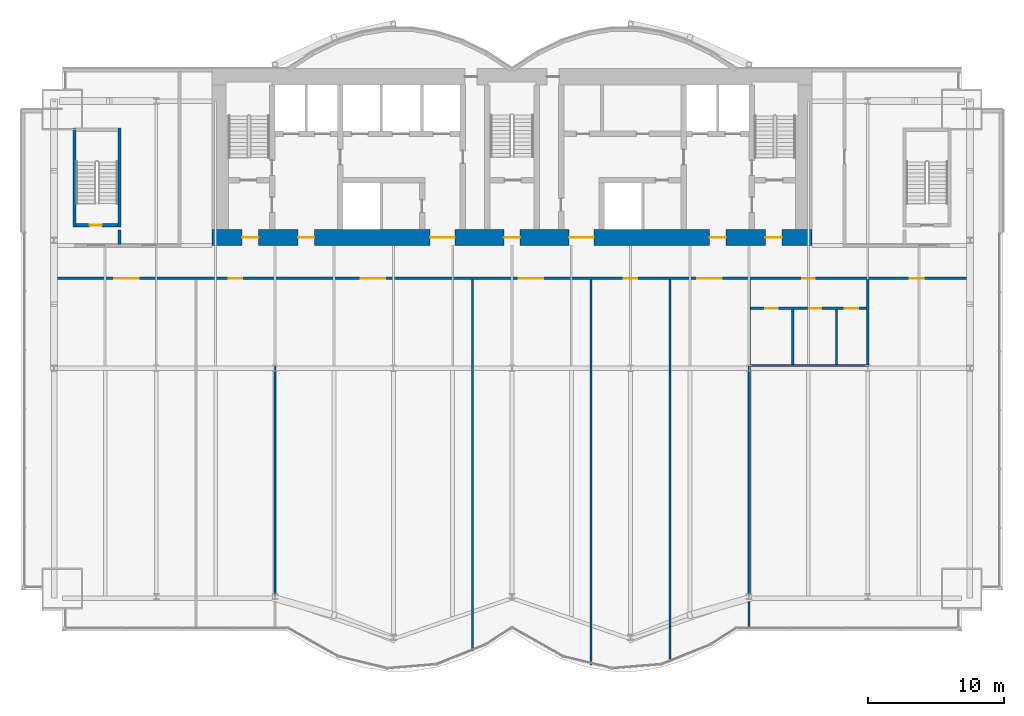
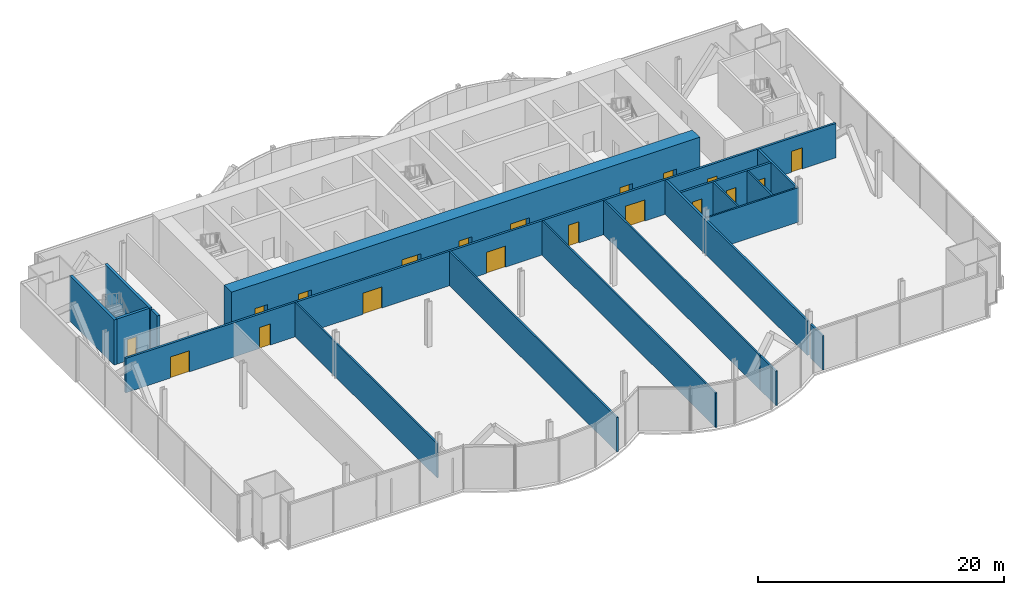
# One storey, part 15 of 21: 19 doors, 18 walls, 19 openings.
"""IFC4 building model written with IfcOpenShell, lengths in metres."""

from ifc_helpers import new_model, si_unit, direction, frame, frame_2d, origin, place, context, subcontext, project, spatial, rectangle, extrude, material, layer, layer_set, type_object, element, fill, save


model = new_model("IFC4")

# Units and contexts
model_context = context("Model", 3, precision=1e-05, world=origin(), true_north=direction((0.0, 1.0)))
body_context = subcontext(model_context, "Body", "Model", "MODEL_VIEW")
ifc_project = project(units=[si_unit("LENGTHUNIT", "METRE"), si_unit("AREAUNIT", "SQUARE_METRE"), si_unit("VOLUMEUNIT", "CUBIC_METRE"), si_unit("PLANEANGLEUNIT", "RADIAN"), si_unit("MASSUNIT", "GRAM", prefix="KILO")], contexts=[model_context])

# Site, building, storey
site_placement = place(None, origin())
site = spatial("IfcSite", under=ifc_project, at=site_placement, CompositionType="ELEMENT")
building_placement = place(site_placement, origin())
building = spatial("IfcBuilding", under=site, at=building_placement, Name="Bicima Exchange Tower", CompositionType="ELEMENT")
storey_placement = place(building_placement, frame((0.0, 0.0, 48.5)))
storey = spatial("IfcBuildingStorey", under=building, at=storey_placement, Name="L09", CompositionType="ELEMENT", Elevation=48.5)

# Wall, openings, doors
ifc_material_1 = material(Name="Gypsum board partition")
ifc_layer_1 = layer(ifc_material_1, 0.199951171875)
ifc_layer_set_1 = layer_set([ifc_layer_1], Name="Gypsum board partition")
wall_type_1 = type_object("IfcWallType", Name="Fire-rated gypsum partition 200 EI60", PredefinedType="PARTITIONING", material=ifc_layer_set_1)
wall_1_placement = place(storey_placement, frame((17.5, -17.60009765625, 0.0), z_axis=(0.0, 0.0, 1.0), x_axis=(1.0, 0.0, 0.0)))
wall_1 = element("IfcWall", 1, at=wall_1_placement, inside=storey, type_object=wall_type_1, Name="partition wall 2", PredefinedType="PARTITIONING", context=body_context, shape_type="SweptSolid", body=[
    extrude(rectangle(XDim=8.5, YDim=0.199951171875, at=frame_2d((4.25, 0.0))), origin(), (0.0, 0.0, 1.0), 3.418212890625),
])
opening_1_placement = place(wall_1_placement, frame((1.10009765625, 0.0, 0.0)))
opening_1 = element("IfcOpeningElement", 2, at=opening_1_placement, cuts=wall_1, Name="Opening L09-014", PredefinedType="OPENING", context=body_context, shape_type="SweptSolid", body=[
    extrude(rectangle(XDim=0.89990234375, YDim=2.10009765625, at=frame_2d((0.449951171875, 1.050048828125))), frame((0.0, 0.11181640625, 0.0), z_axis=(0.0, -1.0, 0.0), x_axis=(1.0, 0.0, 0.0)), (0.0, 0.0, 1.0), 0.223876953125),
])
opening_2_placement = place(wall_1_placement, frame((4.300048828125, 0.0, 0.0)))
opening_2 = element("IfcOpeningElement", 3, at=opening_2_placement, cuts=wall_1, Name="Opening L09-015", PredefinedType="OPENING", context=body_context, shape_type="SweptSolid", body=[
    extrude(rectangle(XDim=0.89990234375, YDim=2.10009765625, at=frame_2d((0.449951171875, 1.050048828125))), frame((0.0, 0.11181640625, 0.0), z_axis=(0.0, -1.0, 0.0), x_axis=(1.0, 0.0, 0.0)), (0.0, 0.0, 1.0), 0.223876953125),
])
opening_3_placement = place(wall_1_placement, frame((6.89990234375, 0.0, 0.0)))
opening_3 = element("IfcOpeningElement", 4, at=opening_3_placement, cuts=wall_1, Name="Opening L09-016", PredefinedType="OPENING", context=body_context, shape_type="SweptSolid", body=[
    extrude(rectangle(XDim=1.0, YDim=2.10009765625, at=frame_2d((0.5, 1.050048828125))), frame((0.0, 0.11181640625, 0.0), z_axis=(0.0, -1.0, 0.0), x_axis=(1.0, 0.0, 0.0)), (0.0, 0.0, 1.0), 0.223876953125),
])
ifc_material_2 = material(Name="Steel fire door leaf", Category="steel")
door_type_1 = type_object("IfcDoorType", Name="Door 1000 swing FD30S", OperationType="SINGLE_SWING_LEFT", PredefinedType="DOOR", material=ifc_material_2)
door_1_placement = place(opening_3_placement, frame((1.0, 0.0, 0.0), z_axis=(0.0, 0.0, 1.0), x_axis=(-1.0, 0.0, 0.0)))
door_1 = element("IfcDoor", 5, at=door_1_placement, inside=storey, type_object=door_type_1, Name="Door", OperationType="SINGLE_SWING_LEFT", OverallHeight=2.10009765625, OverallWidth=1.0, PredefinedType="DOOR", context=body_context, shape_type="SweptSolid", body=[
    extrude(rectangle(XDim=1.0, YDim=2.10009765625, at=frame_2d((0.5, 1.050048828125))), frame((0.0, 0.02490234375, 0.0), z_axis=(0.0, -1.0, 0.0), x_axis=(1.0, 0.0, 0.0)), (0.0, 0.0, 1.0), 0.050048828125),
])
fill(opening_3, door_1)
door_type_2 = type_object("IfcDoorType", Name="Door 900 swing FD30S", OperationType="SINGLE_SWING_LEFT", PredefinedType="DOOR", material=ifc_material_2)
door_2_placement = place(opening_1_placement, frame((0.89990234375, 0.0, 0.0), z_axis=(0.0, 0.0, 1.0), x_axis=(-1.0, 0.0, 0.0)))
door_2 = element("IfcDoor", 6, at=door_2_placement, inside=storey, type_object=door_type_2, Name="Door", OperationType="SINGLE_SWING_RIGHT", OverallHeight=2.10009765625, OverallWidth=0.89990234375, PredefinedType="DOOR", context=body_context, shape_type="SweptSolid", body=[
    extrude(rectangle(XDim=0.89990234375, YDim=2.10009765625, at=frame_2d((0.449951171875, 1.050048828125))), frame((0.0, 0.02490234375, 0.0), z_axis=(0.0, -1.0, 0.0), x_axis=(1.0, 0.0, 0.0)), (0.0, 0.0, 1.0), 0.050048828125),
])
fill(opening_1, door_2)
door_3_placement = place(opening_2_placement, frame((0.89990234375, 0.0, 0.0), z_axis=(0.0, 0.0, 1.0), x_axis=(-1.0, 0.0, 0.0)))
door_3 = element("IfcDoor", 7, at=door_3_placement, inside=storey, type_object=door_type_2, Name="Door", OperationType="SINGLE_SWING_RIGHT", OverallHeight=2.10009765625, OverallWidth=0.89990234375, PredefinedType="DOOR", context=body_context, shape_type="SweptSolid", body=[
    extrude(rectangle(XDim=0.89990234375, YDim=2.10009765625, at=frame_2d((0.449951171875, 1.050048828125))), frame((0.0, 0.02490234375, 0.0), z_axis=(0.0, -1.0, 0.0), x_axis=(1.0, 0.0, 0.0)), (0.0, 0.0, 1.0), 0.050048828125),
])
fill(opening_2, door_3)

wall_2_placement = place(storey_placement, frame((-33.3701171875, -15.39990234375, 0.0), z_axis=(0.0, 0.0, 1.0), x_axis=(1.0, 0.0, 0.0)))
wall_2 = element("IfcWall", 8, at=wall_2_placement, inside=storey, type_object=wall_type_1, Name="partition wall 3", PredefinedType="PARTITIONING", context=body_context, shape_type="SweptSolid", body=[
    extrude(rectangle(XDim=66.740234375, YDim=0.199951171875, at=frame_2d((33.3701171875, 0.0))), origin(), (0.0, 0.0, 1.0), 3.418212890625),
])
opening_4_placement = place(wall_2_placement, frame((4.199951171875, 0.0, 0.0)))
opening_4 = element("IfcOpeningElement", 9, at=opening_4_placement, cuts=wall_2, Name="Opening L09-007", PredefinedType="OPENING", context=body_context, shape_type="SweptSolid", body=[
    extrude(rectangle(XDim=1.800048828125, YDim=2.10009765625, at=frame_2d((0.89990234375, 1.050048828125))), frame((0.0, 0.11181640625, 0.0), z_axis=(0.0, -1.0, 0.0), x_axis=(1.0, 0.0, 0.0)), (0.0, 0.0, 1.0), 0.223876953125),
])
opening_5_placement = place(wall_2_placement, frame((12.570068359375, 0.0, 0.0)))
opening_5 = element("IfcOpeningElement", 10, at=opening_5_placement, cuts=wall_2, Name="Opening L09-008", PredefinedType="OPENING", context=body_context, shape_type="SweptSolid", body=[
    extrude(rectangle(XDim=1.0, YDim=2.10009765625, at=frame_2d((0.5, 1.050048828125))), frame((0.0, 0.11181640625, 0.0), z_axis=(0.0, -1.0, 0.0), x_axis=(1.0, 0.0, 0.0)), (0.0, 0.0, 1.0), 0.223876953125),
])
opening_6_placement = place(wall_2_placement, frame((22.27001953125, 0.0, 0.0)))
opening_6 = element("IfcOpeningElement", 11, at=opening_6_placement, cuts=wall_2, Name="Opening L09-009", PredefinedType="OPENING", context=body_context, shape_type="SweptSolid", body=[
    extrude(rectangle(XDim=1.800048828125, YDim=2.10009765625, at=frame_2d((0.89990234375, 1.050048828125))), frame((0.0, 0.11181640625, 0.0), z_axis=(0.0, -1.0, 0.0), x_axis=(1.0, 0.0, 0.0)), (0.0, 0.0, 1.0), 0.223876953125),
])
opening_7_placement = place(wall_2_placement, frame((33.8701171875, 0.0, 0.0)))
opening_7 = element("IfcOpeningElement", 12, at=opening_7_placement, cuts=wall_2, Name="Opening L09-010", PredefinedType="OPENING", context=body_context, shape_type="SweptSolid", body=[
    extrude(rectangle(XDim=1.800048828125, YDim=2.10009765625, at=frame_2d((0.89990234375, 1.050048828125))), frame((0.0, 0.11181640625, 0.0), z_axis=(0.0, -1.0, 0.0), x_axis=(1.0, 0.0, 0.0)), (0.0, 0.0, 1.0), 0.223876953125),
])
opening_8_placement = place(wall_2_placement, frame((41.570068359375, 0.0, 0.0)))
opening_8 = element("IfcOpeningElement", 13, at=opening_8_placement, cuts=wall_2, Name="Opening L09-011", PredefinedType="OPENING", context=body_context, shape_type="SweptSolid", body=[
    extrude(rectangle(XDim=1.0, YDim=2.10009765625, at=frame_2d((0.5, 1.050048828125))), frame((0.0, 0.11181640625, 0.0), z_axis=(0.0, -1.0, 0.0), x_axis=(1.0, 0.0, 0.0)), (0.0, 0.0, 1.0), 0.223876953125),
])
opening_9_placement = place(wall_2_placement, frame((46.969970703125, 0.0, 0.0)))
opening_9 = element("IfcOpeningElement", 14, at=opening_9_placement, cuts=wall_2, Name="Opening L09-012", PredefinedType="OPENING", context=body_context, shape_type="SweptSolid", body=[
    extrude(rectangle(XDim=1.800048828125, YDim=2.10009765625, at=frame_2d((0.89990234375, 1.050048828125))), frame((0.0, 0.11181640625, 0.0), z_axis=(0.0, -1.0, 0.0), x_axis=(1.0, 0.0, 0.0)), (0.0, 0.0, 1.0), 0.223876953125),
])
opening_10_placement = place(wall_2_placement, frame((54.669921875, 0.0, 0.0)))
opening_10 = element("IfcOpeningElement", 15, at=opening_10_placement, cuts=wall_2, Name="Opening L09-013", PredefinedType="OPENING", context=body_context, shape_type="SweptSolid", body=[
    extrude(rectangle(XDim=0.89990234375, YDim=2.10009765625, at=frame_2d((0.449951171875, 1.050048828125))), frame((0.0, 0.11181640625, 0.0), z_axis=(0.0, -1.0, 0.0), x_axis=(1.0, 0.0, 0.0)), (0.0, 0.0, 1.0), 0.223876953125),
])
opening_11_placement = place(wall_2_placement, frame((62.570068359375, 0.0, 0.0)))
opening_11 = element("IfcOpeningElement", 16, at=opening_11_placement, cuts=wall_2, Name="Opening L09-017", PredefinedType="OPENING", context=body_context, shape_type="SweptSolid", body=[
    extrude(rectangle(XDim=1.0, YDim=2.10009765625, at=frame_2d((0.5, 1.050048828125))), frame((0.0, 0.11181640625, 0.0), z_axis=(0.0, -1.0, 0.0), x_axis=(1.0, 0.0, 0.0)), (0.0, 0.0, 1.0), 0.223876953125),
])
door_4_placement = place(opening_5_placement, frame((1.0, 0.0, 0.0), z_axis=(0.0, 0.0, 1.0), x_axis=(-1.0, 0.0, 0.0)))
door_4 = element("IfcDoor", 17, at=door_4_placement, inside=storey, type_object=door_type_1, Name="Door", OperationType="SINGLE_SWING_RIGHT", OverallHeight=2.10009765625, OverallWidth=1.0, PredefinedType="DOOR", context=body_context, shape_type="SweptSolid", body=[
    extrude(rectangle(XDim=1.0, YDim=2.10009765625, at=frame_2d((0.5, 1.050048828125))), frame((0.0, 0.02490234375, 0.0), z_axis=(0.0, -1.0, 0.0), x_axis=(1.0, 0.0, 0.0)), (0.0, 0.0, 1.0), 0.050048828125),
])
fill(opening_5, door_4)
door_5_placement = place(opening_8_placement, frame((1.0, 0.0, 0.0), z_axis=(0.0, 0.0, 1.0), x_axis=(-1.0, 0.0, 0.0)))
door_5 = element("IfcDoor", 18, at=door_5_placement, inside=storey, type_object=door_type_1, Name="Door", OperationType="SINGLE_SWING_RIGHT", OverallHeight=2.10009765625, OverallWidth=1.0, PredefinedType="DOOR", context=body_context, shape_type="SweptSolid", body=[
    extrude(rectangle(XDim=1.0, YDim=2.10009765625, at=frame_2d((0.5, 1.050048828125))), frame((0.0, 0.02490234375, 0.0), z_axis=(0.0, -1.0, 0.0), x_axis=(1.0, 0.0, 0.0)), (0.0, 0.0, 1.0), 0.050048828125),
])
fill(opening_8, door_5)
door_6_placement = place(opening_11_placement, frame((1.0, 0.0, 0.0), z_axis=(0.0, 0.0, 1.0), x_axis=(-1.0, 0.0, 0.0)))
door_6 = element("IfcDoor", 19, at=door_6_placement, inside=storey, type_object=door_type_1, Name="Door", OperationType="SINGLE_SWING_RIGHT", OverallHeight=2.10009765625, OverallWidth=1.0, PredefinedType="DOOR", context=body_context, shape_type="SweptSolid", body=[
    extrude(rectangle(XDim=1.0, YDim=2.10009765625, at=frame_2d((0.5, 1.050048828125))), frame((0.0, 0.02490234375, 0.0), z_axis=(0.0, -1.0, 0.0), x_axis=(1.0, 0.0, 0.0)), (0.0, 0.0, 1.0), 0.050048828125),
])
fill(opening_11, door_6)
door_type_3 = type_object("IfcDoorType", Name="Door 1800 double swing FD30S", OperationType="DOUBLE_DOOR_SINGLE_SWING", PredefinedType="DOOR", material=ifc_material_2)
door_7_placement = place(opening_4_placement, origin())
door_7 = element("IfcDoor", 20, at=door_7_placement, inside=storey, type_object=door_type_3, Name="Door", OperationType="SINGLE_SWING_LEFT", OverallHeight=2.10009765625, OverallWidth=1.800048828125, PredefinedType="DOOR", context=body_context, shape_type="SweptSolid", body=[
    extrude(rectangle(XDim=1.800048828125, YDim=2.10009765625, at=frame_2d((0.89990234375, 1.050048828125))), frame((0.0, 0.02490234375, 0.0), z_axis=(0.0, -1.0, 0.0), x_axis=(1.0, 0.0, 0.0)), (0.0, 0.0, 1.0), 0.050048828125),
])
fill(opening_4, door_7)
door_8_placement = place(opening_6_placement, origin())
door_8 = element("IfcDoor", 21, at=door_8_placement, inside=storey, type_object=door_type_3, Name="Door", OperationType="SINGLE_SWING_LEFT", OverallHeight=2.10009765625, OverallWidth=1.800048828125, PredefinedType="DOOR", context=body_context, shape_type="SweptSolid", body=[
    extrude(rectangle(XDim=1.800048828125, YDim=2.10009765625, at=frame_2d((0.89990234375, 1.050048828125))), frame((0.0, 0.02490234375, 0.0), z_axis=(0.0, -1.0, 0.0), x_axis=(1.0, 0.0, 0.0)), (0.0, 0.0, 1.0), 0.050048828125),
])
fill(opening_6, door_8)
door_9_placement = place(opening_7_placement, origin())
door_9 = element("IfcDoor", 22, at=door_9_placement, inside=storey, type_object=door_type_3, Name="Door", OperationType="SINGLE_SWING_LEFT", OverallHeight=2.10009765625, OverallWidth=1.800048828125, PredefinedType="DOOR", context=body_context, shape_type="SweptSolid", body=[
    extrude(rectangle(XDim=1.800048828125, YDim=2.10009765625, at=frame_2d((0.89990234375, 1.050048828125))), frame((0.0, 0.02490234375, 0.0), z_axis=(0.0, -1.0, 0.0), x_axis=(1.0, 0.0, 0.0)), (0.0, 0.0, 1.0), 0.050048828125),
])
fill(opening_7, door_9)
door_10_placement = place(opening_9_placement, origin())
door_10 = element("IfcDoor", 23, at=door_10_placement, inside=storey, type_object=door_type_3, Name="Door", OperationType="SINGLE_SWING_LEFT", OverallHeight=2.10009765625, OverallWidth=1.800048828125, PredefinedType="DOOR", context=body_context, shape_type="SweptSolid", body=[
    extrude(rectangle(XDim=1.800048828125, YDim=2.10009765625, at=frame_2d((0.89990234375, 1.050048828125))), frame((0.0, 0.02490234375, 0.0), z_axis=(0.0, -1.0, 0.0), x_axis=(1.0, 0.0, 0.0)), (0.0, 0.0, 1.0), 0.050048828125),
])
fill(opening_9, door_10)
door_11_placement = place(opening_10_placement, frame((0.89990234375, 0.0, 0.0), z_axis=(0.0, 0.0, 1.0), x_axis=(-1.0, 0.0, 0.0)))
door_11 = element("IfcDoor", 24, at=door_11_placement, inside=storey, type_object=door_type_2, Name="Door", OperationType="SINGLE_SWING_LEFT", OverallHeight=2.10009765625, OverallWidth=0.89990234375, PredefinedType="DOOR", context=body_context, shape_type="SweptSolid", body=[
    extrude(rectangle(XDim=0.89990234375, YDim=2.10009765625, at=frame_2d((0.449951171875, 1.050048828125))), frame((0.0, 0.02490234375, 0.0), z_axis=(0.0, -1.0, 0.0), x_axis=(1.0, 0.0, 0.0)), (0.0, 0.0, 1.0), 0.050048828125),
])
fill(opening_10, door_11)

# Walls
wall_3_placement = place(storey_placement, frame((17.39990234375, -38.630615234375, 0.0), z_axis=(0.0, 0.0, 1.0), x_axis=(0.0, 1.0, 0.0)))
element("IfcWall", 25, at=wall_3_placement, inside=storey, type_object=wall_type_1, Name="partition wall 23", PredefinedType="PARTITIONING", context=body_context, shape_type="SweptSolid", body=[
    extrude(rectangle(XDim=23.130615234375, YDim=0.199951171875, at=frame_2d((11.5654296875, 0.0))), origin(), (0.0, 0.0, 1.0), 3.418212890625),
])
wall_4_placement = place(storey_placement, frame((26.10009765625, -21.72509765625, 0.0), z_axis=(0.0, 0.0, 1.0), x_axis=(0.0, 1.0, 0.0)))
element("IfcWall", 26, at=wall_4_placement, inside=storey, type_object=wall_type_1, Name="partition wall 27", PredefinedType="PARTITIONING", context=body_context, shape_type="SweptSolid", body=[
    extrude(rectangle(XDim=6.22509765625, YDim=0.199951171875, at=frame_2d((3.112548828125, 0.0))), origin(), (0.0, 0.0, 1.0), 3.418212890625),
])
ifc_layer_2 = layer(ifc_material_1, 0.14990234375)
ifc_layer_set_2 = layer_set([ifc_layer_2], Name="Gypsum board partition")
wall_type_2 = type_object("IfcWallType", Name="Gypsum partition 150", PredefinedType="PARTITIONING", material=ifc_layer_set_2)
wall_5_placement = place(storey_placement, frame((17.5, -21.800048828125, 0.0), z_axis=(0.0, 0.0, 1.0), x_axis=(1.0, 0.0, 0.0)))
element("IfcWall", 27, at=wall_5_placement, inside=storey, type_object=wall_type_2, Name="partition wall 1", PredefinedType="PARTITIONING", context=body_context, shape_type="SweptSolid", body=[
    extrude(rectangle(XDim=8.699951171875, YDim=0.14990234375, at=frame_2d((4.35009765625, 0.0))), origin(), (0.0, 0.0, 1.0), 3.418212890625),
])
wall_6_placement = place(storey_placement, frame((-17.39990234375, -38.630615234375, 0.0), z_axis=(0.0, 0.0, 1.0), x_axis=(0.0, 1.0, 0.0)))
element("IfcWall", 28, at=wall_6_placement, inside=storey, type_object=wall_type_2, Name="partition wall 17", PredefinedType="PARTITIONING", context=body_context, shape_type="SweptSolid", body=[
    extrude(rectangle(XDim=23.130615234375, YDim=0.14990234375, at=frame_2d((11.5654296875, 0.0))), origin(), (0.0, 0.0, 1.0), 3.418212890625),
])
wall_7_placement = place(storey_placement, frame((-2.89990234375, -42.739990234375, 0.0), z_axis=(0.0, 0.0, 1.0), x_axis=(0.0, 1.0, 0.0)))
element("IfcWall", 29, at=wall_7_placement, inside=storey, type_object=wall_type_2, Name="partition wall 18", PredefinedType="PARTITIONING", context=body_context, shape_type="SweptSolid", body=[
    extrude(rectangle(XDim=27.239990234375, YDim=0.14990234375, at=frame_2d((13.6201171875, 0.0))), origin(), (0.0, 0.0, 1.0), 3.418212890625),
])
wall_8_placement = place(storey_placement, frame((5.800048828125, -43.77001953125, 0.0), z_axis=(0.0, 0.0, 1.0), x_axis=(0.0, 1.0, 0.0)))
element("IfcWall", 30, at=wall_8_placement, inside=storey, type_object=wall_type_2, Name="partition wall 19", PredefinedType="PARTITIONING", context=body_context, shape_type="SweptSolid", body=[
    extrude(rectangle(XDim=28.27001953125, YDim=0.14990234375, at=frame_2d((14.135009765625, 0.0))), origin(), (0.0, 0.0, 1.0), 3.418212890625),
])
wall_9_placement = place(storey_placement, frame((11.60009765625, -43.52001953125, 0.0), z_axis=(0.0, 0.0, 1.0), x_axis=(0.0, 1.0, 0.0)))
element("IfcWall", 31, at=wall_9_placement, inside=storey, type_object=wall_type_2, Name="partition wall 20", PredefinedType="PARTITIONING", context=body_context, shape_type="SweptSolid", body=[
    extrude(rectangle(XDim=2.576904296875, YDim=0.14990234375, at=frame_2d((1.28857421875, 0.0))), origin(), (0.0, 0.0, 1.0), 3.418212890625),
])
wall_10_placement = place(storey_placement, frame((11.60009765625, -40.943115234375, 0.0), z_axis=(0.0, 0.0, 1.0), x_axis=(0.0, 1.0, 0.0)))
element("IfcWall", 32, at=wall_10_placement, inside=storey, type_object=wall_type_2, Name="partition wall 21", PredefinedType="PARTITIONING", context=body_context, shape_type="SweptSolid", body=[
    extrude(rectangle(XDim=25.443115234375, YDim=0.14990234375, at=frame_2d((12.7216796875, 0.0))), origin(), (0.0, 0.0, 1.0), 3.418212890625),
])
wall_11_placement = place(storey_placement, frame((17.39990234375, -41.06005859375, 0.0), z_axis=(0.0, 0.0, 1.0), x_axis=(0.0, 1.0, 0.0)))
element("IfcWall", 33, at=wall_11_placement, inside=storey, type_object=wall_type_2, Name="partition wall 22", PredefinedType="PARTITIONING", context=body_context, shape_type="SweptSolid", body=[
    extrude(rectangle(XDim=1.954833984375, YDim=0.14990234375, at=frame_2d((0.9775390625, 0.0))), origin(), (0.0, 0.0, 1.0), 3.418212890625),
])
for number, where, z_axis, x_axis, name in (
    (34, (20.60009765625, -21.72509765625, 0.0), (0.0, 0.0, 1.0), (0.0, 1.0, 0.0), "partition wall 24"),
    (35, (23.800048828125, -21.72509765625, 0.0), (0.0, 0.0, 1.0), (0.0, 1.0, 0.0), "partition wall 25"),
):
    element("IfcWall", number, at=place(storey_placement, frame(where, z_axis=z_axis, x_axis=x_axis)), inside=storey, type_object=wall_type_2, Name=name, PredefinedType="PARTITIONING", context=body_context, shape_type="SweptSolid", body=[
        extrude(rectangle(XDim=4.025146484375, YDim=0.14990234375, at=frame_2d((2.0126953125, 0.0))), origin(), (0.0, 0.0, 1.0), 3.418212890625),
    ])

# Wall, openings, doors
ifc_material_3 = material(Name="Concrete C60/75", Category="concrete")
ifc_layer_3 = layer(ifc_material_3, 1.199951171875)
ifc_layer_set_3 = layer_set([ifc_layer_3], Name="Concrete C60/75")
wall_type_3 = type_object("IfcWallType", Name="RC core wall 1200 C60/75", PredefinedType="SHEAR", material=ifc_layer_set_3)
wall_12_placement = place(storey_placement, frame((-22.0, -12.39990234375, 0.0), z_axis=(0.0, 0.0, 1.0), x_axis=(1.0, 0.0, 0.0)))
wall_12 = element("IfcWall", 36, at=wall_12_placement, inside=storey, type_object=wall_type_3, Name="Core wall south", PredefinedType="SHEAR", context=body_context, shape_type="SweptSolid", body=[
    extrude(rectangle(XDim=44.0, YDim=1.199951171875, at=frame_2d((22.0, 0.0))), origin(), (0.0, 0.0, 1.0), 4.5),
])
opening_12_placement = place(wall_12_placement, frame((2.199951171875, 0.0, 0.0)))
opening_12 = element("IfcOpeningElement", 37, at=opening_12_placement, cuts=wall_12, Name="Opening L09-C18", PredefinedType="OPENING", context=body_context, shape_type="SweptSolid", body=[
    extrude(rectangle(XDim=1.199951171875, YDim=2.10009765625, at=frame_2d((0.60009765625, 1.050048828125))), frame((0.0, 0.61181640625, 0.0), z_axis=(0.0, -1.0, 0.0), x_axis=(1.0, 0.0, 0.0)), (0.0, 0.0, 1.0), 1.223876953125),
])
opening_13_placement = place(wall_12_placement, frame((21.39990234375, 0.0, 0.0)))
opening_13 = element("IfcOpeningElement", 38, at=opening_13_placement, cuts=wall_12, Name="Opening L09-C19", PredefinedType="OPENING", context=body_context, shape_type="SweptSolid", body=[
    extrude(rectangle(XDim=1.199951171875, YDim=2.10009765625, at=frame_2d((0.60009765625, 1.050048828125))), frame((0.0, 0.61181640625, 0.0), z_axis=(0.0, -1.0, 0.0), x_axis=(1.0, 0.0, 0.0)), (0.0, 0.0, 1.0), 1.223876953125),
])
opening_14_placement = place(wall_12_placement, frame((40.60009765625, 0.0, 0.0)))
opening_14 = element("IfcOpeningElement", 39, at=opening_14_placement, cuts=wall_12, Name="Opening L09-C20", PredefinedType="OPENING", context=body_context, shape_type="SweptSolid", body=[
    extrude(rectangle(XDim=1.199951171875, YDim=2.10009765625, at=frame_2d((0.60009765625, 1.050048828125))), frame((0.0, 0.61181640625, 0.0), z_axis=(0.0, -1.0, 0.0), x_axis=(1.0, 0.0, 0.0)), (0.0, 0.0, 1.0), 1.223876953125),
])
opening_15_placement = place(wall_12_placement, frame((16.0, 0.0, 0.0)))
opening_15 = element("IfcOpeningElement", 40, at=opening_15_placement, cuts=wall_12, Name="Opening L09-C21", PredefinedType="OPENING", context=body_context, shape_type="SweptSolid", body=[
    extrude(rectangle(XDim=1.800048828125, YDim=2.10009765625, at=frame_2d((0.89990234375, 1.050048828125))), frame((0.0, 0.61181640625, 0.0), z_axis=(0.0, -1.0, 0.0), x_axis=(1.0, 0.0, 0.0)), (0.0, 0.0, 1.0), 1.223876953125),
])
opening_16_placement = place(wall_12_placement, frame((6.300048828125, 0.0, 0.0)))
opening_16 = element("IfcOpeningElement", 41, at=opening_16_placement, cuts=wall_12, Name="Opening L09-C22", PredefinedType="OPENING", context=body_context, shape_type="SweptSolid", body=[
    extrude(rectangle(XDim=1.199951171875, YDim=2.10009765625, at=frame_2d((0.60009765625, 1.050048828125))), frame((0.0, 0.61181640625, 0.0), z_axis=(0.0, -1.0, 0.0), x_axis=(1.0, 0.0, 0.0)), (0.0, 0.0, 1.0), 1.223876953125),
])
opening_17_placement = place(wall_12_placement, frame((26.199951171875, 0.0, 0.0)))
opening_17 = element("IfcOpeningElement", 42, at=opening_17_placement, cuts=wall_12, Name="Opening L09-C23", PredefinedType="OPENING", context=body_context, shape_type="SweptSolid", body=[
    extrude(rectangle(XDim=1.800048828125, YDim=2.10009765625, at=frame_2d((0.89990234375, 1.050048828125))), frame((0.0, 0.61181640625, 0.0), z_axis=(0.0, -1.0, 0.0), x_axis=(1.0, 0.0, 0.0)), (0.0, 0.0, 1.0), 1.223876953125),
])
opening_18_placement = place(wall_12_placement, frame((36.5, 0.0, 0.0)))
opening_18 = element("IfcOpeningElement", 43, at=opening_18_placement, cuts=wall_12, Name="Opening L09-C24", PredefinedType="OPENING", context=body_context, shape_type="SweptSolid", body=[
    extrude(rectangle(XDim=1.199951171875, YDim=2.10009765625, at=frame_2d((0.60009765625, 1.050048828125))), frame((0.0, 0.61181640625, 0.0), z_axis=(0.0, -1.0, 0.0), x_axis=(1.0, 0.0, 0.0)), (0.0, 0.0, 1.0), 1.223876953125),
])
door_type_4 = type_object("IfcDoorType", Name="Door 1200 swing FD60S", OperationType="SINGLE_SWING_LEFT", PredefinedType="DOOR", material=ifc_material_2)
door_12_placement = place(opening_12_placement, frame((1.199951171875, 0.0, 0.0), z_axis=(0.0, 0.0, 1.0), x_axis=(-1.0, 0.0, 0.0)))
door_12 = element("IfcDoor", 44, at=door_12_placement, inside=storey, type_object=door_type_4, Name="Core door", OperationType="SINGLE_SWING_RIGHT", OverallHeight=2.10009765625, OverallWidth=1.199951171875, PredefinedType="DOOR", context=body_context, shape_type="SweptSolid", body=[
    extrude(rectangle(XDim=1.199951171875, YDim=2.10009765625, at=frame_2d((0.60009765625, 1.050048828125))), frame((0.0, 0.02490234375, 0.0), z_axis=(0.0, -1.0, 0.0), x_axis=(1.0, 0.0, 0.0)), (0.0, 0.0, 1.0), 0.050048828125),
])
fill(opening_12, door_12)
door_13_placement = place(opening_13_placement, frame((1.199951171875, 0.0, 0.0), z_axis=(0.0, 0.0, 1.0), x_axis=(-1.0, 0.0, 0.0)))
door_13 = element("IfcDoor", 45, at=door_13_placement, inside=storey, type_object=door_type_4, Name="Core door", OperationType="SINGLE_SWING_RIGHT", OverallHeight=2.10009765625, OverallWidth=1.199951171875, PredefinedType="DOOR", context=body_context, shape_type="SweptSolid", body=[
    extrude(rectangle(XDim=1.199951171875, YDim=2.10009765625, at=frame_2d((0.60009765625, 1.050048828125))), frame((0.0, 0.02490234375, 0.0), z_axis=(0.0, -1.0, 0.0), x_axis=(1.0, 0.0, 0.0)), (0.0, 0.0, 1.0), 0.050048828125),
])
fill(opening_13, door_13)
door_14_placement = place(opening_14_placement, frame((1.199951171875, 0.0, 0.0), z_axis=(0.0, 0.0, 1.0), x_axis=(-1.0, 0.0, 0.0)))
door_14 = element("IfcDoor", 46, at=door_14_placement, inside=storey, type_object=door_type_4, Name="Core door", OperationType="SINGLE_SWING_RIGHT", OverallHeight=2.10009765625, OverallWidth=1.199951171875, PredefinedType="DOOR", context=body_context, shape_type="SweptSolid", body=[
    extrude(rectangle(XDim=1.199951171875, YDim=2.10009765625, at=frame_2d((0.60009765625, 1.050048828125))), frame((0.0, 0.02490234375, 0.0), z_axis=(0.0, -1.0, 0.0), x_axis=(1.0, 0.0, 0.0)), (0.0, 0.0, 1.0), 0.050048828125),
])
fill(opening_14, door_14)
door_15_placement = place(opening_16_placement, frame((1.199951171875, 0.0, 0.0), z_axis=(0.0, 0.0, 1.0), x_axis=(-1.0, 0.0, 0.0)))
door_15 = element("IfcDoor", 47, at=door_15_placement, inside=storey, type_object=door_type_4, Name="Core door", OperationType="SINGLE_SWING_RIGHT", OverallHeight=2.10009765625, OverallWidth=1.199951171875, PredefinedType="DOOR", context=body_context, shape_type="SweptSolid", body=[
    extrude(rectangle(XDim=1.199951171875, YDim=2.10009765625, at=frame_2d((0.60009765625, 1.050048828125))), frame((0.0, 0.02490234375, 0.0), z_axis=(0.0, -1.0, 0.0), x_axis=(1.0, 0.0, 0.0)), (0.0, 0.0, 1.0), 0.050048828125),
])
fill(opening_16, door_15)
door_16_placement = place(opening_18_placement, frame((1.199951171875, 0.0, 0.0), z_axis=(0.0, 0.0, 1.0), x_axis=(-1.0, 0.0, 0.0)))
door_16 = element("IfcDoor", 48, at=door_16_placement, inside=storey, type_object=door_type_4, Name="Core door", OperationType="SINGLE_SWING_RIGHT", OverallHeight=2.10009765625, OverallWidth=1.199951171875, PredefinedType="DOOR", context=body_context, shape_type="SweptSolid", body=[
    extrude(rectangle(XDim=1.199951171875, YDim=2.10009765625, at=frame_2d((0.60009765625, 1.050048828125))), frame((0.0, 0.02490234375, 0.0), z_axis=(0.0, -1.0, 0.0), x_axis=(1.0, 0.0, 0.0)), (0.0, 0.0, 1.0), 0.050048828125),
])
fill(opening_18, door_16)
door_17_placement = place(opening_15_placement, origin())
door_17 = element("IfcDoor", 49, at=door_17_placement, inside=storey, type_object=door_type_3, Name="Core door", OperationType="SINGLE_SWING_LEFT", OverallHeight=2.10009765625, OverallWidth=1.800048828125, PredefinedType="DOOR", context=body_context, shape_type="SweptSolid", body=[
    extrude(rectangle(XDim=1.800048828125, YDim=2.10009765625, at=frame_2d((0.89990234375, 1.050048828125))), frame((0.0, 0.02490234375, 0.0), z_axis=(0.0, -1.0, 0.0), x_axis=(1.0, 0.0, 0.0)), (0.0, 0.0, 1.0), 0.050048828125),
])
fill(opening_15, door_17)
door_18_placement = place(opening_17_placement, origin())
door_18 = element("IfcDoor", 50, at=door_18_placement, inside=storey, type_object=door_type_3, Name="Core door", OperationType="SINGLE_SWING_LEFT", OverallHeight=2.10009765625, OverallWidth=1.800048828125, PredefinedType="DOOR", context=body_context, shape_type="SweptSolid", body=[
    extrude(rectangle(XDim=1.800048828125, YDim=2.10009765625, at=frame_2d((0.89990234375, 1.050048828125))), frame((0.0, 0.02490234375, 0.0), z_axis=(0.0, -1.0, 0.0), x_axis=(1.0, 0.0, 0.0)), (0.0, 0.0, 1.0), 0.050048828125),
])
fill(opening_17, door_18)

# Walls
ifc_material_4 = material(Name="Concrete C50/60", Category="concrete")
ifc_layer_4 = layer(ifc_material_4, 0.25)
ifc_layer_set_4 = layer_set([ifc_layer_4], Name="Concrete C50/60")
wall_type_4 = type_object("IfcWallType", Name="RC core wall 250 C50/60", PredefinedType="SHEAR", material=ifc_layer_set_4)
wall_13_placement = place(storey_placement, frame((-28.800048828125, -12.89990234375, 0.0), z_axis=(0.0, 0.0, 1.0), x_axis=(0.0, 1.0, 0.0)))
element("IfcWall", 51, at=wall_13_placement, inside=storey, type_object=wall_type_4, Name="stair wall 13", PredefinedType="SHEAR", context=body_context, shape_type="SweptSolid", body=[
    extrude(rectangle(XDim=1.0498046875, YDim=0.25, at=frame_2d((0.52490234375, 0.0))), origin(), (0.0, 0.0, 1.0), 4.5),
])
ifc_layer_5 = layer(ifc_material_4, 0.25)
ifc_layer_set_5 = layer_set([ifc_layer_5], Name="Concrete C50/60")
wall_type_5 = type_object("IfcWallType", Name="RC stair enclosure wall 250 C50/60", PredefinedType="SHEAR", material=ifc_layer_set_5)
for number, where, z_axis, x_axis, name in (
    (52, (-32.10009765625, -11.625, 0.0), (0.0, 0.0, 1.0), (0.0, 1.0, 0.0), "West end exit stair wall W"),
    (53, (-28.800048828125, -11.625, 0.0), (0.0, 0.0, 1.0), (0.0, 1.0, 0.0), "West end exit stair wall E"),
):
    element("IfcWall", number, at=place(storey_placement, frame(where, z_axis=z_axis, x_axis=x_axis)), inside=storey, type_object=wall_type_5, Name=name, PredefinedType="SHEAR", context=body_context, shape_type="SweptSolid", body=[
        extrude(rectangle(XDim=7.25, YDim=0.25, at=frame_2d((3.625, 0.0))), origin(), (0.0, 0.0, 1.0), 4.5),
    ])

# Wall, opening, door
wall_14_placement = place(storey_placement, frame((-31.97509765625, -11.5, 0.0), z_axis=(0.0, 0.0, 1.0), x_axis=(1.0, 0.0, 0.0)))
wall_14 = element("IfcWall", 54, at=wall_14_placement, inside=storey, type_object=wall_type_5, Name="West end exit stair wall S", PredefinedType="SHEAR", context=body_context, shape_type="SweptSolid", body=[
    extrude(rectangle(XDim=3.050048828125, YDim=0.25, at=frame_2d((1.52490234375, 0.0))), origin(), (0.0, 0.0, 1.0), 4.5),
])
opening_19_placement = place(wall_14_placement, frame((0.97509765625, 0.0, 0.0)))
opening_19 = element("IfcOpeningElement", 55, at=opening_19_placement, cuts=wall_14, Name="Opening L09-002", PredefinedType="OPENING", context=body_context, shape_type="SweptSolid", body=[
    extrude(rectangle(XDim=0.89990234375, YDim=2.10009765625, at=frame_2d((0.449951171875, 1.050048828125))), frame((0.0, 0.136962890625, 0.0), z_axis=(0.0, -1.0, 0.0), x_axis=(1.0, 0.0, 0.0)), (0.0, 0.0, 1.0), 0.27392578125),
])
door_type_5 = type_object("IfcDoorType", Name="Door 900 swing FD60S", OperationType="SINGLE_SWING_LEFT", PredefinedType="DOOR", material=ifc_material_2)
door_19_placement = place(opening_19_placement, origin())
door_19 = element("IfcDoor", 56, at=door_19_placement, inside=storey, type_object=door_type_5, Name="Door", OperationType="SINGLE_SWING_LEFT", OverallHeight=2.10009765625, OverallWidth=0.89990234375, PredefinedType="DOOR", context=body_context, shape_type="SweptSolid", body=[
    extrude(rectangle(XDim=0.89990234375, YDim=2.10009765625, at=frame_2d((0.449951171875, 1.050048828125))), frame((0.0, 0.02490234375, 0.0), z_axis=(0.0, -1.0, 0.0), x_axis=(1.0, 0.0, 0.0)), (0.0, 0.0, 1.0), 0.050048828125),
])
fill(opening_19, door_19)

save(model, "model.ifc")
